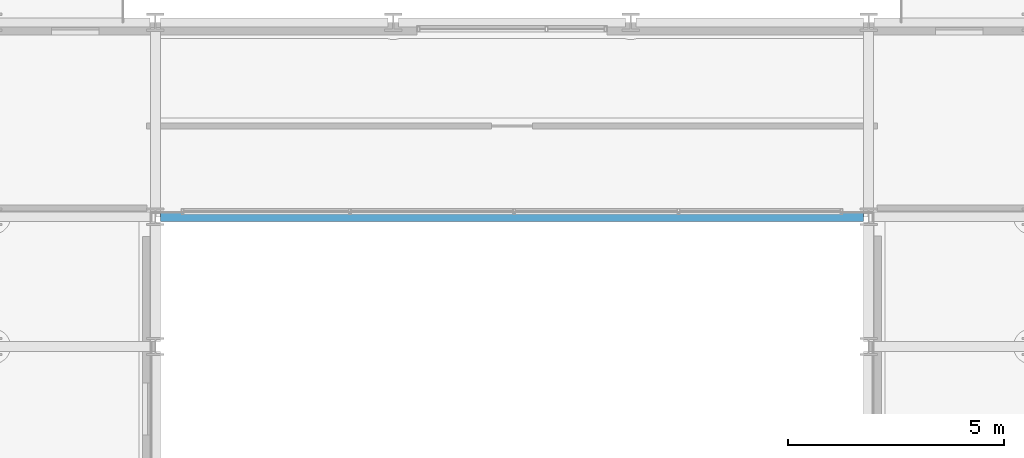
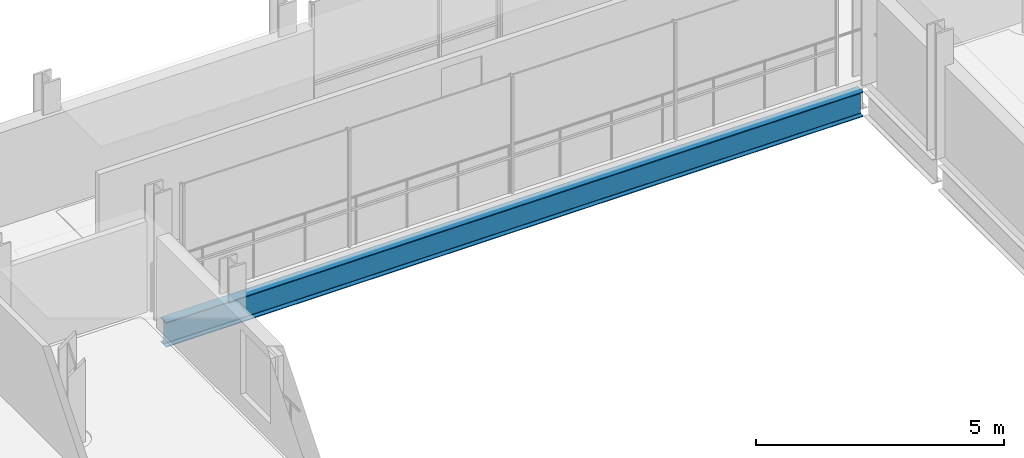
# One storey, part 12 of 40: 1 beam.
"""IFC4 building model written with IfcOpenShell, lengths in metres."""

from ifc_helpers import new_model, si_unit, direction, frame, origin, origin_2d, place, context, subcontext, project, spatial, i_section, extrude, material, material_profile, profile_set, type_object, element, save


model = new_model("IFC4")

# Units and contexts
model_context = context("Model", 3, precision=1e-05, world=origin(), true_north=direction((0.0, 1.0)))
body_context = subcontext(model_context, "Body", "Model", "MODEL_VIEW")
ifc_project = project(units=[si_unit("LENGTHUNIT", "METRE"), si_unit("AREAUNIT", "SQUARE_METRE"), si_unit("VOLUMEUNIT", "CUBIC_METRE"), si_unit("PLANEANGLEUNIT", "RADIAN"), si_unit("MASSUNIT", "GRAM", prefix="KILO")], contexts=[model_context])

# Site, building, storey
site_placement = place(None, origin())
site = spatial("IfcSite", under=ifc_project, at=site_placement, CompositionType="ELEMENT")
building_placement = place(site_placement, origin())
building = spatial("IfcBuilding", under=site, at=building_placement, Name="Brevholm Reach", CompositionType="ELEMENT")
storey_placement = place(building_placement, frame((0.0, 0.0, 148.0)))
storey = spatial("IfcBuildingStorey", under=building, at=storey_placement, Name="L44", CompositionType="ELEMENT", Elevation=148.0)

# Beam
ifc_material = material(Name="Structural Steel S355J2", Category="steel")
ifc_material_profile = material_profile(ifc_material, i_section(OverallWidth=0.22900390625, OverallDepth=0.6123046875, WebThickness=0.011962890625, FlangeThickness=0.01953125, FilletRadius=0.0126953125, at=origin_2d()), Name="UKB 610x229x125")
ifc_profile_set = profile_set([ifc_material_profile], Name="Structural Steel S355J2")
beam_type = type_object("IfcBeamType", Name="BM-SP610", PredefinedType="SPANDREL", material=ifc_profile_set)
beam_placement = place(storey_placement, frame((21.8701171875, 26.5, -0.526123046875), z_axis=(1.0, 0.0, 0.0), x_axis=(0.0, 1.0, 0.0)))
element("IfcBeam", 1, at=beam_placement, inside=storey, type_object=beam_type, Name="L44 SP-01 Framing Beam", PredefinedType="SPANDREL", context=body_context, shape_type="SweptSolid", body=[
    extrude(i_section(OverallWidth=0.22900390625, OverallDepth=0.6123046875, WebThickness=0.011962890625, FlangeThickness=0.01953125, FilletRadius=0.0126953125, at=origin_2d()), origin(), (0.0, 0.0, 1.0), 16.259765625),
])

save(model, "model.ifc")
